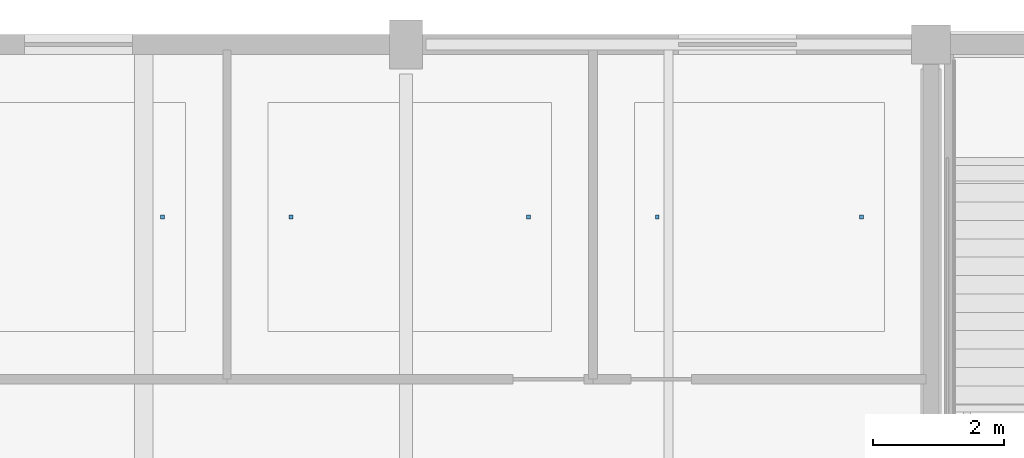
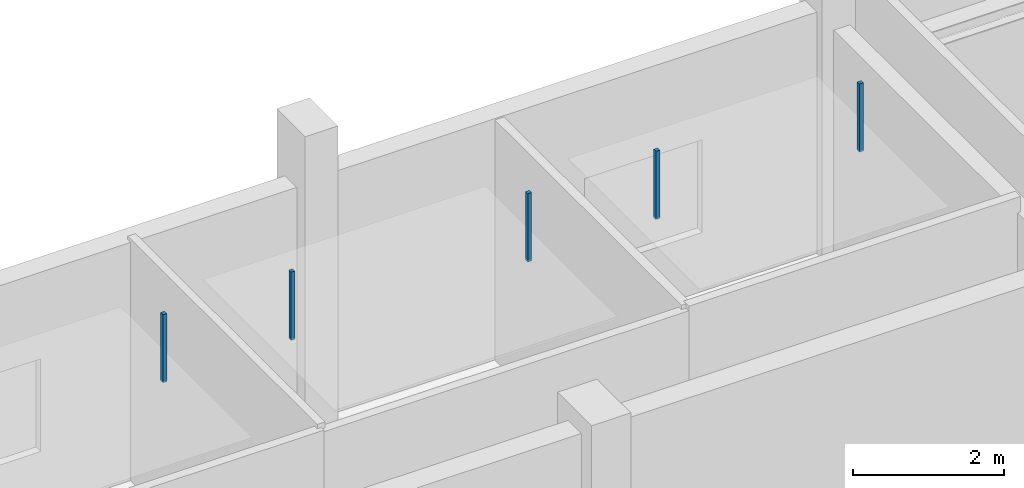
# One storey, part 110 of 147: 5 discrete accessories.
"""IFC4 building model written with IfcOpenShell, lengths in metres."""

from ifc_helpers import new_model, si_unit, direction, frame, origin, origin_2d, place, context, subcontext, project, spatial, rectangle, extrude, material, type_object, element, save


model = new_model("IFC4")

# Units and contexts
model_context = context("Model", 3, precision=1e-05, world=origin(), true_north=direction((0.0, 1.0)))
body_context = subcontext(model_context, "Body", "Model", "MODEL_VIEW")
ifc_project = project(units=[si_unit("LENGTHUNIT", "METRE"), si_unit("AREAUNIT", "SQUARE_METRE"), si_unit("VOLUMEUNIT", "CUBIC_METRE"), si_unit("PLANEANGLEUNIT", "RADIAN"), si_unit("MASSUNIT", "GRAM", prefix="KILO")], contexts=[model_context])

# Site, building, storey
site_placement = place(None, origin())
site = spatial("IfcSite", under=ifc_project, at=site_placement, CompositionType="ELEMENT")
building_placement = place(site_placement, origin())
building = spatial("IfcBuilding", under=site, at=building_placement, Name="Khelvaren Railside Concert Hall", CompositionType="ELEMENT")
storey_placement = place(building_placement, frame((0.0, 0.0, 5.39990234375)))
storey = spatial("IfcBuildingStorey", under=building, at=storey_placement, Name="L01", CompositionType="ELEMENT", Elevation=5.39990234375)

# Discrete accessories
ifc_material = material(Name="Galvanised steel acoustic ceiling hanger rod", Category="steel")
discrete_accessory_type = type_object("IfcDiscreteAccessoryType", Name="BRK62", PredefinedType="BRACKET", material=ifc_material)
for number, where, z_axis, x_axis, name in (
    (1, (20.2880859375, 111.375, 3.429931640625), (0.0, 0.0, 1.0), (1.0, 0.0, 0.0), "Acoustic Ceiling Suspension Bracket 107-2"),
    (2, (22.248046875, 111.375, 3.429931640625), (0.0, 0.0, 1.0), (1.0, 0.0, 0.0), "Acoustic Ceiling Suspension Bracket 108-1"),
    (3, (25.867919921875, 111.375, 3.429931640625), (0.0, 0.0, 1.0), (1.0, 0.0, 0.0), "Acoustic Ceiling Suspension Bracket 108-2"),
    (4, (27.827880859375, 111.375, 3.429931640625), (0.0, 0.0, 1.0), (1.0, 0.0, 0.0), "Acoustic Ceiling Suspension Bracket 109-1"),
    (5, (30.93994140625, 111.375, 3.429931640625), (0.0, 0.0, 1.0), (1.0, 0.0, 0.0), "Acoustic Ceiling Suspension Bracket 109-2"),
):
    element("IfcDiscreteAccessory", number, at=place(storey_placement, frame(where, z_axis=z_axis, x_axis=x_axis)), inside=storey, type_object=discrete_accessory_type, Name=name, PredefinedType="BRACKET", context=body_context, shape_type="SweptSolid", body=[
        extrude(rectangle(XDim=0.06005859375, YDim=0.06005859375, at=origin_2d()), origin(), (0.0, 0.0, 1.0), 1.10009765625),
    ])

save(model, "model.ifc")
